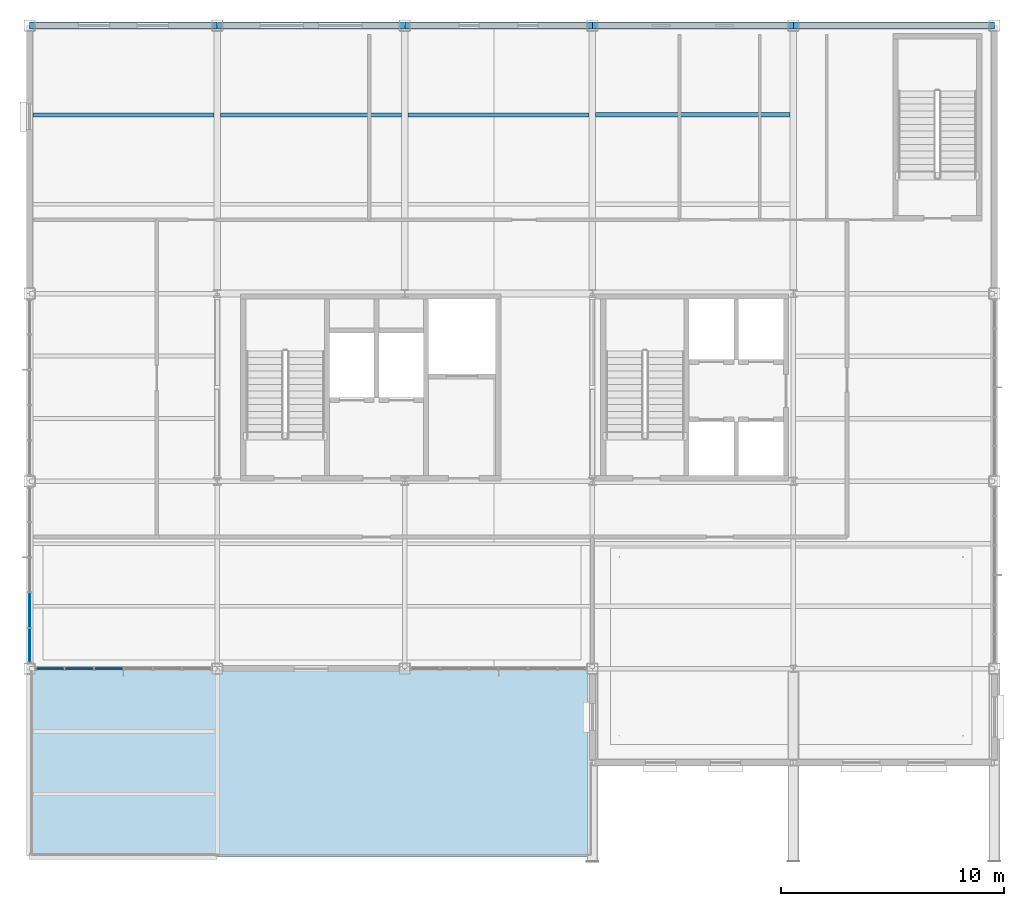
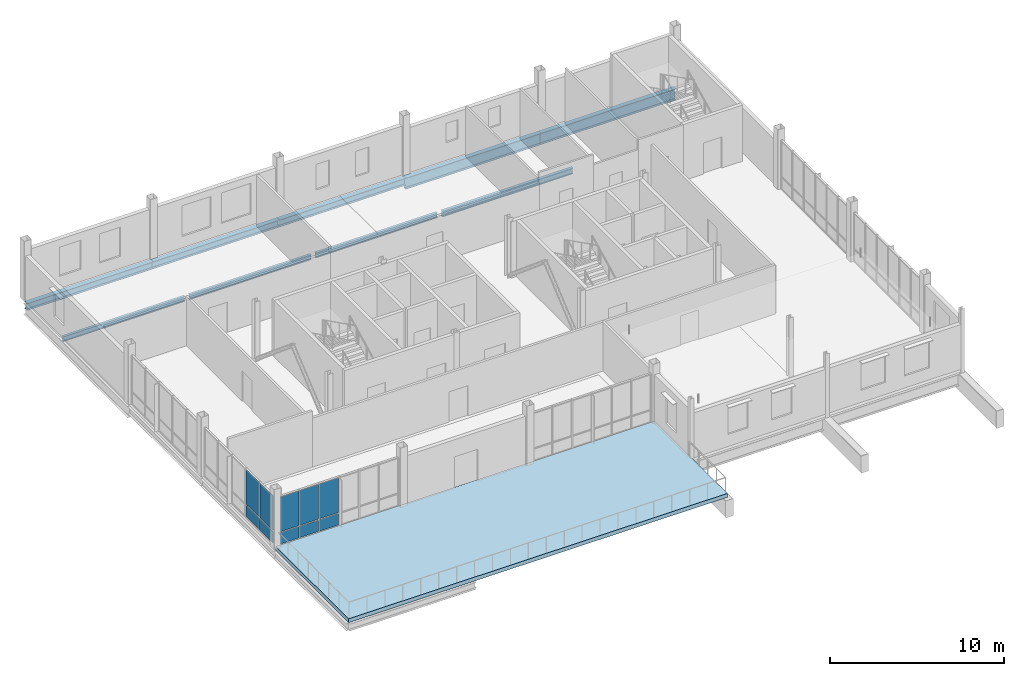
# One storey, part 9 of 22: 10 plates, 9 beams, 1 slab, 2 elements without a shape of their own.
"""IFC4 building model written with IfcOpenShell, lengths in metres."""

from ifc_helpers import new_model, si_unit, direction, frame, origin, origin_2d, place, context, subcontext, project, spatial, polyline, rectangle, i_section, outline, extrude, material, layer, layer_set, material_profile, profile_set, type_object, element, aggregate, save


model = new_model("IFC4")

# Units and contexts
model_context = context("Model", 3, precision=1e-05, world=origin(), true_north=direction((0.0, 1.0)))
body_context = subcontext(model_context, "Body", "Model", "MODEL_VIEW")
ifc_project = project(units=[si_unit("LENGTHUNIT", "METRE"), si_unit("AREAUNIT", "SQUARE_METRE"), si_unit("VOLUMEUNIT", "CUBIC_METRE"), si_unit("PLANEANGLEUNIT", "RADIAN"), si_unit("MASSUNIT", "GRAM", prefix="KILO")], contexts=[model_context])

# Site, building, storey
site_placement = place(None, origin())
site = spatial("IfcSite", under=ifc_project, at=site_placement, CompositionType="ELEMENT")
building_placement = place(site_placement, origin())
building = spatial("IfcBuilding", under=site, at=building_placement, Name="Yukiwa Park Conservatory and Herbarium", CompositionType="ELEMENT")
storey_placement = place(building_placement, frame((0.0, 0.0, 35.39990234375)))
storey = spatial("IfcBuildingStorey", under=building, at=storey_placement, Name="L09", CompositionType="ELEMENT", Elevation=35.39990234375)

# Beams
ifc_material_1 = material(Name="Steel Q355D", Category="steel")
ifc_material_profile_1 = material_profile(ifc_material_1, i_section(OverallWidth=0.175048828125, OverallDepth=0.35009765625, WebThickness=0.007080078125, FlangeThickness=0.010986328125, FilletRadius=0.013916015625, at=origin_2d()), Name="HN 350x175x7x11")
ifc_profile_set_1 = profile_set([ifc_material_profile_1], Name="Steel Q355D")
beam_type_1 = type_object("IfcBeamType", Name="BM-JST-HN350", PredefinedType="JOIST", material=ifc_profile_set_1)
beam_1_placement = place(storey_placement, frame((124.946044921875, 111.199951171875, -0.47998046875), z_axis=(1.0, 0.0, 0.0), x_axis=(0.0, 1.0, 0.0)))
element("IfcBeam", 1, at=beam_1_placement, inside=storey, type_object=beam_type_1, Name="L09 composite floor joist 8", PredefinedType="JOIST", context=body_context, shape_type="SweptSolid", body=[
    extrude(i_section(OverallWidth=0.175048828125, OverallDepth=0.35009765625, WebThickness=0.007080078125, FlangeThickness=0.010986328125, FilletRadius=0.013916015625, at=origin_2d()), origin(), (0.0, 0.0, 1.0), 8.10791015625),
])
beam_2_placement = place(storey_placement, frame((133.345947265625, 111.199951171875, -0.47998046875), z_axis=(1.0, 0.0, 0.0), x_axis=(0.0, 1.0, 0.0)))
element("IfcBeam", 2, at=beam_2_placement, inside=storey, type_object=beam_type_1, Name="L09 composite floor joist 12", PredefinedType="JOIST", context=body_context, shape_type="SweptSolid", body=[
    extrude(i_section(OverallWidth=0.175048828125, OverallDepth=0.35009765625, WebThickness=0.007080078125, FlangeThickness=0.010986328125, FilletRadius=0.013916015625, at=origin_2d()), origin(), (0.0, 0.0, 1.0), 8.108154296875),
])
beam_3_placement = place(storey_placement, frame((141.74609375, 111.199951171875, -0.47998046875), z_axis=(1.0, 0.0, 0.0), x_axis=(0.0, 1.0, 0.0)))
element("IfcBeam", 3, at=beam_3_placement, inside=storey, type_object=beam_type_1, Name="L09 composite floor joist 16", PredefinedType="JOIST", context=body_context, shape_type="SweptSolid", body=[
    extrude(i_section(OverallWidth=0.175048828125, OverallDepth=0.35009765625, WebThickness=0.007080078125, FlangeThickness=0.010986328125, FilletRadius=0.013916015625, at=origin_2d()), origin(), (0.0, 0.0, 1.0), 8.10791015625),
])
ifc_material_2 = material(Name="Steel Q355D", Category="steel")
ifc_material_profile_2 = material_profile(ifc_material_2, i_section(OverallWidth=0.199951171875, OverallDepth=0.39990234375, WebThickness=0.008056640625, FlangeThickness=0.012939453125, FilletRadius=0.01611328125, at=origin_2d()), Name="HN 400x200x8x13")
ifc_profile_set_2 = profile_set([ifc_material_profile_2], Name="Steel Q355D")
beam_type_2 = type_object("IfcBeamType", Name="BM-JST-HN400", PredefinedType="JOIST", material=ifc_profile_set_2)
beam_4_placement = place(storey_placement, frame((150.14599609375, 111.199951171875, -0.5048828125), z_axis=(1.0, 0.0, 0.0), x_axis=(0.0, 1.0, 0.0)))
element("IfcBeam", 4, at=beam_4_placement, inside=storey, type_object=beam_type_2, Name="L09 composite floor joist 20", PredefinedType="JOIST", context=body_context, shape_type="SweptSolid", body=[
    extrude(i_section(OverallWidth=0.199951171875, OverallDepth=0.39990234375, WebThickness=0.008056640625, FlangeThickness=0.012939453125, FilletRadius=0.01611328125, at=origin_2d()), origin(), (0.0, 0.0, 1.0), 8.7080078125),
])
ifc_material_3 = material(Name="Steel Q355D", Category="steel")
ifc_material_profile_3 = material_profile(ifc_material_3, i_section(OverallWidth=0.300048828125, OverallDepth=0.5, WebThickness=0.010986328125, FlangeThickness=0.01806640625, FilletRadius=0.02392578125, at=origin_2d()), Name="HM 500x300x11x18")
ifc_profile_set_3 = profile_set([ifc_material_profile_3], Name="Steel Q355D")
beam_type_3 = type_object("IfcBeamType", Name="BM-SPN-HN500", PredefinedType="SPANDREL", material=ifc_profile_set_3)
beam_5_placement = place(storey_placement, frame((124.805908203125, 115.199951171875, -0.554931640625), z_axis=(1.0, 0.0, 0.0), x_axis=(0.0, 1.0, 0.0)))
element("IfcBeam", 5, at=beam_5_placement, inside=storey, type_object=beam_type_3, Name="L09 spandrel beam X-19", PredefinedType="SPANDREL", context=body_context, shape_type="SweptSolid", body=[
    extrude(i_section(OverallWidth=0.300048828125, OverallDepth=0.5, WebThickness=0.010986328125, FlangeThickness=0.01806640625, FilletRadius=0.02392578125, at=origin_2d()), origin(), (0.0, 0.0, 1.0), 8.38818359375),
])
for number, where, z_axis, x_axis, name in (
    (6, (133.2060546875, 115.199951171875, -0.554931640625), (1.0, 0.0, 0.0), (0.0, 1.0, 0.0), "L09 spandrel beam X-20"),
    (7, (141.60595703125, 115.199951171875, -0.554931640625), (1.0, 0.0, 0.0), (0.0, 1.0, 0.0), "L09 spandrel beam X-21"),
):
    element("IfcBeam", number, at=place(storey_placement, frame(where, z_axis=z_axis, x_axis=x_axis)), inside=storey, type_object=beam_type_3, Name=name, PredefinedType="SPANDREL", context=body_context, shape_type="SweptSolid", body=[
        extrude(i_section(OverallWidth=0.300048828125, OverallDepth=0.5, WebThickness=0.010986328125, FlangeThickness=0.01806640625, FilletRadius=0.02392578125, at=origin_2d()), origin(), (0.0, 0.0, 1.0), 8.387939453125),
    ])
ifc_material_4 = material(Name="Steel Q355D", Category="steel")
ifc_material_profile_4 = material_profile(ifc_material_4, i_section(OverallWidth=0.300048828125, OverallDepth=0.7919921875, WebThickness=0.013916015625, FlangeThickness=0.02197265625, FilletRadius=0.028076171875, at=origin_2d()), Name="HN 792x300x14x22")
ifc_profile_set_4 = profile_set([ifc_material_profile_4], Name="Steel Q355D")
beam_type_4 = type_object("IfcBeamType", Name="BM-SPN-HN600", PredefinedType="SPANDREL", material=ifc_profile_set_4)
for number, where, z_axis, x_axis, name in (
    (8, (150.006103515625, 115.199951171875, -0.700927734375), (1.0, 0.0, 0.0), (0.0, 1.0, 0.0), "L09 spandrel beam X-22"),
    (9, (159.006103515625, 115.199951171875, -0.700927734375), (1.0, 0.0, 0.0), (0.0, 1.0, 0.0), "L09 spandrel beam X-23"),
):
    element("IfcBeam", number, at=place(storey_placement, frame(where, z_axis=z_axis, x_axis=x_axis)), inside=storey, type_object=beam_type_4, Name=name, PredefinedType="SPANDREL", context=body_context, shape_type="SweptSolid", body=[
        extrude(i_section(OverallWidth=0.300048828125, OverallDepth=0.7919921875, WebThickness=0.013916015625, FlangeThickness=0.02197265625, FilletRadius=0.028076171875, at=origin_2d()), origin(), (0.0, 0.0, 1.0), 8.98779296875),
    ])

# Curtain wall, plates
ifc_material_5 = material(Name="Triple Low-E Insulated Glass", Category="glass")
ifc_layer_1 = layer(ifc_material_5, 0.260009765625)
ifc_layer_set_1 = layer_set([ifc_layer_1], Name="Triple Low-E Insulated Glass")
curtain_wall_type_1 = type_object("IfcCurtainWallType", Name="CW-TOWER-LAB-W-1500", PredefinedType="NOTDEFINED", material=ifc_layer_set_1)
curtain_wall_1_placement = place(storey_placement, origin())
curtain_wall_1 = element("IfcCurtainWall", 10, at=curtain_wall_1_placement, inside=storey, type_object=curtain_wall_type_1, Name="L09 unitised curtain wall CW-L09-102", PredefinedType="NOTDEFINED")
ifc_material_6 = material(Name="Triple Low-E Insulated Glass", Category="glass")
ifc_layer_2 = layer(ifc_material_6, 0.035888671875)
ifc_layer_set_2 = layer_set([ifc_layer_2], Name="Triple Low-E Insulated Glass")
plate_type_1 = type_object("IfcPlateType", Name="PL-CW-GLZ-36", PredefinedType="CURTAIN_PANEL", material=ifc_layer_set_2)
plate_1_placement = place(storey_placement, frame((124.800048828125, 89.02001953125, 0.93505859375), z_axis=(0.0, 0.0, 1.0), x_axis=(0.0, -1.0, 0.0)))
plate_1 = element("IfcPlate", 11, at=plate_1_placement, type_object=plate_type_1, Name="CW-L09-102 vision panel 4.2", PredefinedType="CURTAIN_PANEL", context=body_context, shape_type="SweptSolid", body=[
    extrude(rectangle(XDim=1.510009765625, YDim=0.035888671875, at=origin_2d()), origin(), (0.0, 0.0, 1.0), 2.443115234375),
])
plate_2_placement = place(storey_placement, frame((124.800048828125, 87.43994140625, 0.93505859375), z_axis=(0.0, 0.0, 1.0), x_axis=(0.0, -1.0, 0.0)))
plate_2 = element("IfcPlate", 12, at=plate_2_placement, type_object=plate_type_1, Name="CW-L09-102 vision panel 5.2", PredefinedType="CURTAIN_PANEL", context=body_context, shape_type="SweptSolid", body=[
    extrude(rectangle(XDim=1.510009765625, YDim=0.035888671875, at=origin_2d()), origin(), (0.0, 0.0, 1.0), 2.443115234375),
])

ifc_material_7 = material(Name="Triple Low-E Insulated Glass", Category="glass")
ifc_layer_3 = layer(ifc_material_7, 0.248046875)
ifc_layer_set_3 = layer_set([ifc_layer_3], Name="Triple Low-E Insulated Glass")
curtain_wall_type_2 = type_object("IfcCurtainWallType", Name="CW-TOWER-LAB-S-1400", PredefinedType="NOTDEFINED", material=ifc_layer_set_3)
curtain_wall_2_placement = place(storey_placement, origin())
curtain_wall_2 = element("IfcCurtainWall", 13, at=curtain_wall_2_placement, inside=storey, type_object=curtain_wall_type_2, Name="L09 unitised curtain wall CW-L09-103", PredefinedType="NOTDEFINED")
plate_3_placement = place(storey_placement, frame((125.708251953125, 86.39990234375, 0.93505859375), z_axis=(0.0, 0.0, 1.0), x_axis=(1.0, 0.0, 0.0)))
plate_3 = element("IfcPlate", 14, at=plate_3_placement, type_object=plate_type_1, Name="CW-L09-103 vision panel 1.2", PredefinedType="CURTAIN_PANEL", context=body_context, shape_type="SweptSolid", body=[
    extrude(rectangle(XDim=1.24658203125, YDim=0.035888671875, at=origin_2d()), origin(), (0.0, 0.0, 1.0), 2.443115234375),
])
plate_4_placement = place(storey_placement, frame((127.02490234375, 86.39990234375, 0.93505859375), z_axis=(0.0, 0.0, 1.0), x_axis=(1.0, 0.0, 0.0)))
plate_4 = element("IfcPlate", 15, at=plate_4_placement, type_object=plate_type_1, Name="CW-L09-103 vision panel 2.2", PredefinedType="CURTAIN_PANEL", context=body_context, shape_type="SweptSolid", body=[
    extrude(rectangle(XDim=1.24658203125, YDim=0.035888671875, at=origin_2d()), origin(), (0.0, 0.0, 1.0), 2.443115234375),
])
plate_5_placement = place(storey_placement, frame((128.341796875, 86.39990234375, 0.93505859375), z_axis=(0.0, 0.0, 1.0), x_axis=(1.0, 0.0, 0.0)))
plate_5 = element("IfcPlate", 16, at=plate_5_placement, type_object=plate_type_1, Name="CW-L09-103 vision panel 3.2", PredefinedType="CURTAIN_PANEL", context=body_context, shape_type="SweptSolid", body=[
    extrude(rectangle(XDim=1.24658203125, YDim=0.035888671875, at=origin_2d()), origin(), (0.0, 0.0, 1.0), 2.443115234375),
])

# Plate
ifc_material_8 = material(Name="Anodised Aluminium", Category="aluminium")
ifc_layer_4 = layer(ifc_material_8, 0.044921875)
ifc_layer_set_4 = layer_set([ifc_layer_4], Name="Anodised Aluminium")
plate_type_2 = type_object("IfcPlateType", Name="PL-CW-SPN-45", PredefinedType="CURTAIN_PANEL", material=ifc_layer_set_4)
plate_6_placement = place(storey_placement, frame((124.800048828125, 89.02001953125, 0.070068359375), z_axis=(0.0, 0.0, 1.0), x_axis=(0.0, -1.0, 0.0)))
plate_6 = element("IfcPlate", 17, at=plate_6_placement, type_object=plate_type_2, Name="CW-L09-102 spandrel panel 4.1", PredefinedType="CURTAIN_PANEL", context=body_context, shape_type="SweptSolid", body=[
    extrude(rectangle(XDim=1.510009765625, YDim=0.044921875, at=origin_2d()), origin(), (0.0, 0.0, 1.0), 0.794921875),
])

plate_7_placement = place(storey_placement, frame((124.800048828125, 87.43994140625, 0.070068359375), z_axis=(0.0, 0.0, 1.0), x_axis=(0.0, -1.0, 0.0)))
plate_7 = element("IfcPlate", 18, at=plate_7_placement, type_object=plate_type_2, Name="CW-L09-102 spandrel panel 5.1", PredefinedType="CURTAIN_PANEL", context=body_context, shape_type="SweptSolid", body=[
    extrude(rectangle(XDim=1.510009765625, YDim=0.044921875, at=origin_2d()), origin(), (0.0, 0.0, 1.0), 0.794921875),
])

aggregate(curtain_wall_1, [plate_6, plate_1, plate_7, plate_2])

plate_8_placement = place(storey_placement, frame((125.708251953125, 86.39990234375, 0.070068359375), z_axis=(0.0, 0.0, 1.0), x_axis=(1.0, 0.0, 0.0)))
plate_8 = element("IfcPlate", 19, at=plate_8_placement, type_object=plate_type_2, Name="CW-L09-103 spandrel panel 1.1", PredefinedType="CURTAIN_PANEL", context=body_context, shape_type="SweptSolid", body=[
    extrude(rectangle(XDim=1.24658203125, YDim=0.044921875, at=origin_2d()), origin(), (0.0, 0.0, 1.0), 0.794921875),
])

plate_9_placement = place(storey_placement, frame((127.02490234375, 86.39990234375, 0.070068359375), z_axis=(0.0, 0.0, 1.0), x_axis=(1.0, 0.0, 0.0)))
plate_9 = element("IfcPlate", 20, at=plate_9_placement, type_object=plate_type_2, Name="CW-L09-103 spandrel panel 2.1", PredefinedType="CURTAIN_PANEL", context=body_context, shape_type="SweptSolid", body=[
    extrude(rectangle(XDim=1.24658203125, YDim=0.044921875, at=origin_2d()), origin(), (0.0, 0.0, 1.0), 0.794921875),
])

plate_10_placement = place(storey_placement, frame((128.341796875, 86.39990234375, 0.070068359375), z_axis=(0.0, 0.0, 1.0), x_axis=(1.0, 0.0, 0.0)))
plate_10 = element("IfcPlate", 21, at=plate_10_placement, type_object=plate_type_2, Name="CW-L09-103 spandrel panel 3.1", PredefinedType="CURTAIN_PANEL", context=body_context, shape_type="SweptSolid", body=[
    extrude(rectangle(XDim=1.24658203125, YDim=0.044921875, at=origin_2d()), origin(), (0.0, 0.0, 1.0), 0.794921875),
])

aggregate(curtain_wall_2, [plate_8, plate_3, plate_9, plate_4, plate_10, plate_5])

# Slab
ifc_material_9 = material(Name="Concrete C40", Category="concrete")
ifc_layer_5 = layer(ifc_material_9, 0.27490234375)
ifc_layer_set_5 = layer_set([ifc_layer_5], Name="Concrete C40")
slab_type = type_object("IfcSlabType", Name="SL-TER-275", PredefinedType="ROOF", material=ifc_layer_set_5)
slab_placement = place(storey_placement, frame((0.0, 0.0, -0.27490234375)))
element("IfcSlab", 22, at=slab_placement, inside=storey, type_object=slab_type, Name="L09 Sky Terrace South slab", PredefinedType="ROOF", context=body_context, shape_type="SweptSolid", body=[
    extrude(outline(polyline([(124.800048828125, 78.0), (124.800048828125, 86.39990234375), (150.0, 86.39990234375), (150.0, 78.0), (124.800048828125, 78.0)])), origin(), (0.0, 0.0, 1.0), 0.27490234375),
])

save(model, "model.ifc")
